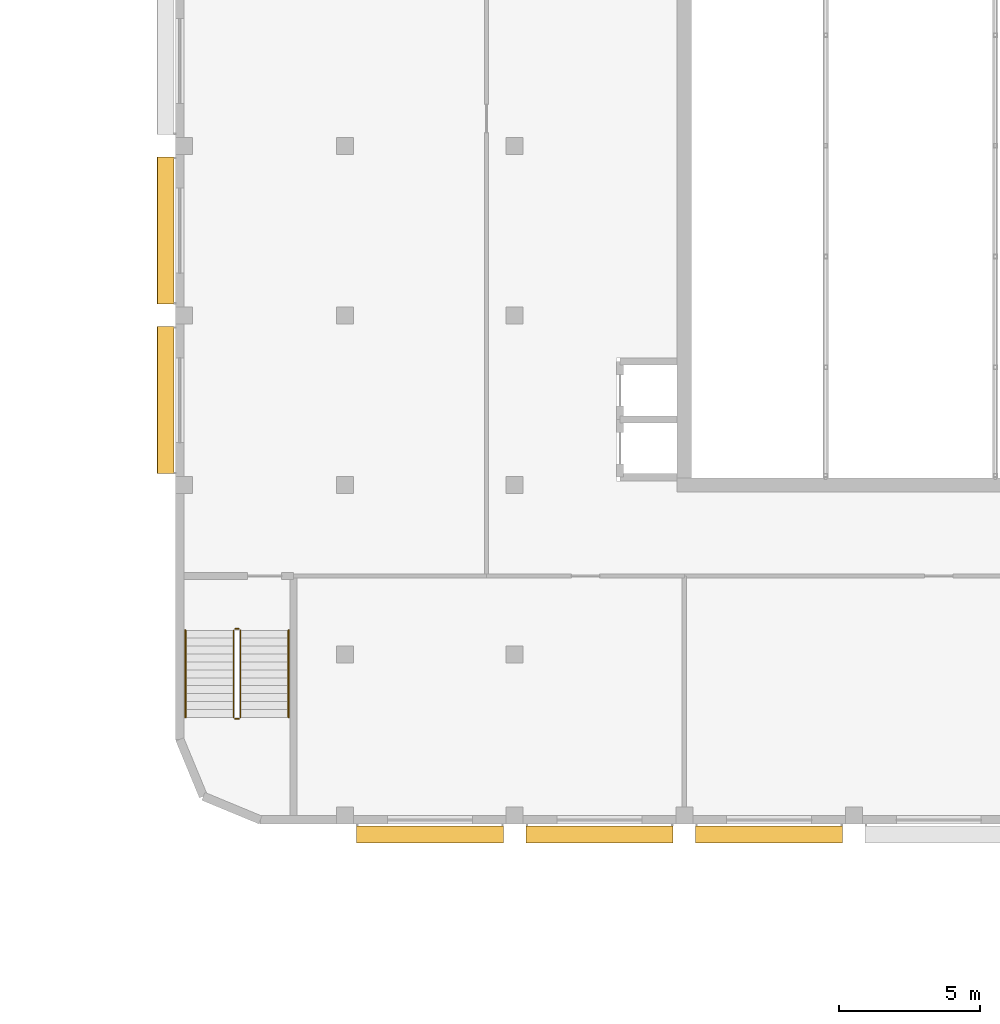
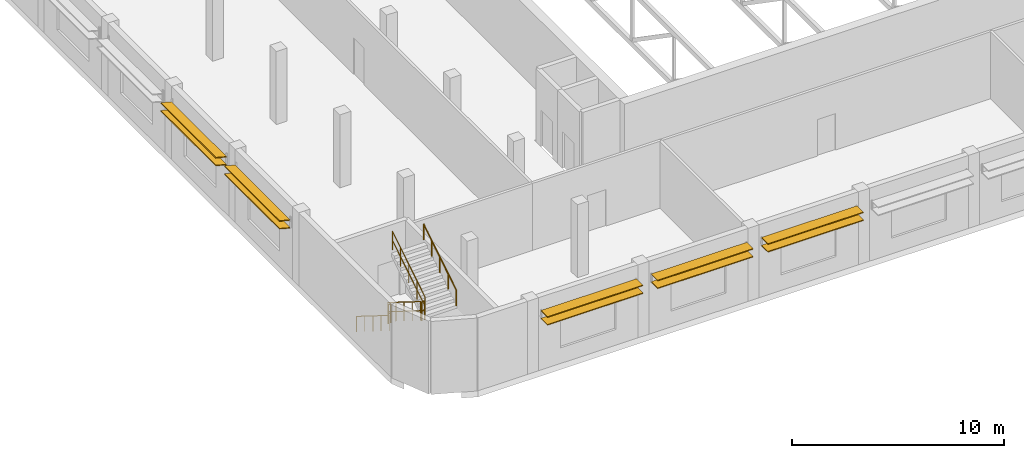
# One storey, part 43 of 47: 10 shading devices, 6 railings.
"""IFC4 building model written with IfcOpenShell, lengths in metres."""

from ifc_helpers import new_model, si_unit, direction, frame, origin, origin_2d, place, context, subcontext, project, spatial, rectangle, circle, extrude, material, material_profile, profile_set, type_object, element, save


model = new_model("IFC4")

# Units and contexts
model_context = context("Model", 3, precision=1e-05, world=origin(), true_north=direction((0.0, 1.0)))
body_context = subcontext(model_context, "Body", "Model", "MODEL_VIEW")
ifc_project = project(units=[si_unit("LENGTHUNIT", "METRE"), si_unit("AREAUNIT", "SQUARE_METRE"), si_unit("VOLUMEUNIT", "CUBIC_METRE"), si_unit("PLANEANGLEUNIT", "RADIAN"), si_unit("MASSUNIT", "GRAM", prefix="KILO")], contexts=[model_context])

# Site, building, storey
site_placement = place(None, origin())
site = spatial("IfcSite", under=ifc_project, at=site_placement, CompositionType="ELEMENT")
building_placement = place(site_placement, origin())
building = spatial("IfcBuilding", under=site, at=building_placement, Name="Nakaniwa Court", CompositionType="ELEMENT")
storey_placement = place(building_placement, frame((0.0, 0.0, 15.60009765625)))
storey = spatial("IfcBuildingStorey", under=building, at=storey_placement, Name="L03", CompositionType="ELEMENT", Elevation=15.60009765625)

# Railings
ifc_material_1 = material(Name="Black powder-coated steel flat bar balustrade S275", Category="steel")
railing_type_1 = type_object("IfcRailingType", Name="Hall guard 1100", PredefinedType="GUARDRAIL", material=ifc_material_1)
railing_1_placement = place(storey_placement, frame((154.050048828125, 62.860107421875, 0.1748046875)))
element("IfcRailing", 1, at=railing_1_placement, inside=storey, type_object=railing_type_1, Name="L03 ST-H1 stair guard 1", PredefinedType="GUARDRAIL", context=body_context, shape_type="SweptSolid", body=[
    extrude(circle(Radius=0.02392578125, at=origin_2d()), frame((0.0, 0.0, 1.076171875), z_axis=(0.0, -0.847998304005, 0.529998940003), x_axis=(1.0, 0.0, 0.0)), (0.0, 0.0, 1.0), 3.632080078125),
    extrude(circle(Radius=0.02392578125, at=origin_2d()), frame((0.0, 0.0, 0.550048828125), z_axis=(0.0, -0.847998304005, 0.529998940003), x_axis=(1.0, 0.0, 0.0)), (0.0, 0.0, 1.0), 3.632080078125),
    extrude(circle(Radius=0.02099609375, at=origin_2d()), origin(), (0.0, 0.0, 1.0), 1.052001953125),
    extrude(circle(Radius=0.02099609375, at=origin_2d()), frame((0.0, -0.77001953125, 0.481201171875)), (0.0, 0.0, 1.0), 1.052001953125),
    extrude(circle(Radius=0.02099609375, at=origin_2d()), frame((0.0, -1.5400390625, 0.96240234375)), (0.0, 0.0, 1.0), 1.052001953125),
    extrude(circle(Radius=0.02099609375, at=origin_2d()), frame((0.0, -2.31005859375, 1.44384765625)), (0.0, 0.0, 1.0), 1.052001953125),
    extrude(circle(Radius=0.02099609375, at=origin_2d()), frame((0.0, -3.080078125, 1.925048828125)), (0.0, 0.0, 1.0), 1.052001953125),
])
railing_2_placement = place(storey_placement, frame((154.10009765625, 59.72998046875, 2.099853515625)))
element("IfcRailing", 2, at=railing_2_placement, inside=storey, type_object=railing_type_1, Name="L03 ST-H1 stair guard 2", PredefinedType="GUARDRAIL", context=body_context, shape_type="SweptSolid", body=[
    extrude(circle(Radius=0.02392578125, at=origin_2d()), frame((0.0, 0.0, 1.076171875), z_axis=(1.0, 0.0, 0.0), x_axis=(0.0, 1.0, 0.0)), (0.0, 0.0, 1.0), 0.14990234375),
    extrude(circle(Radius=0.02392578125, at=origin_2d()), frame((0.0, 0.0, 0.550048828125), z_axis=(1.0, 0.0, 0.0), x_axis=(0.0, 1.0, 0.0)), (0.0, 0.0, 1.0), 0.14990234375),
    extrude(circle(Radius=0.02099609375, at=origin_2d()), origin(), (0.0, 0.0, 1.0), 1.052001953125),
    extrude(circle(Radius=0.02099609375, at=origin_2d()), frame((0.14990234375, 0.0, 0.0)), (0.0, 0.0, 1.0), 1.052001953125),
])
railing_3_placement = place(storey_placement, frame((154.300048828125, 59.780029296875, 2.27490234375)))
element("IfcRailing", 3, at=railing_3_placement, inside=storey, type_object=railing_type_1, Name="L03 ST-H1 stair guard 3", PredefinedType="GUARDRAIL", context=body_context, shape_type="SweptSolid", body=[
    extrude(circle(Radius=0.02392578125, at=origin_2d()), frame((0.0, 0.0, 1.076171875), z_axis=(0.0, 0.847998304005, 0.529998940003), x_axis=(-1.0, 0.0, 0.0)), (0.0, 0.0, 1.0), 3.632080078125),
    extrude(circle(Radius=0.02392578125, at=origin_2d()), frame((0.0, 0.0, 0.550048828125), z_axis=(0.0, 0.847998304005, 0.529998940003), x_axis=(-1.0, 0.0, 0.0)), (0.0, 0.0, 1.0), 3.632080078125),
    extrude(circle(Radius=0.02099609375, at=origin_2d()), origin(), (0.0, 0.0, 1.0), 1.052001953125),
    extrude(circle(Radius=0.02099609375, at=origin_2d()), frame((0.0, 0.77001953125, 0.481201171875)), (0.0, 0.0, 1.0), 1.052001953125),
    extrude(circle(Radius=0.02099609375, at=origin_2d()), frame((0.0, 1.5400390625, 0.96240234375)), (0.0, 0.0, 1.0), 1.052001953125),
    extrude(circle(Radius=0.02099609375, at=origin_2d()), frame((0.0, 2.31005859375, 1.44384765625)), (0.0, 0.0, 1.0), 1.052001953125),
    extrude(circle(Radius=0.02099609375, at=origin_2d()), frame((0.0, 3.080078125, 1.925048828125)), (0.0, 0.0, 1.0), 1.052001953125),
])
railing_4_placement = place(storey_placement, frame((154.10009765625, 62.909912109375, 0.0)))
element("IfcRailing", 4, at=railing_4_placement, inside=storey, type_object=railing_type_1, Name="L03 ST-H1 stair guard 4", PredefinedType="GUARDRAIL", context=body_context, shape_type="SweptSolid", body=[
    extrude(circle(Radius=0.02392578125, at=origin_2d()), frame((0.0, 0.0, 1.076171875), z_axis=(1.0, 0.0, 0.0), x_axis=(0.0, 1.0, 0.0)), (0.0, 0.0, 1.0), 0.14990234375),
    extrude(circle(Radius=0.02392578125, at=origin_2d()), frame((0.0, 0.0, 0.550048828125), z_axis=(1.0, 0.0, 0.0), x_axis=(0.0, 1.0, 0.0)), (0.0, 0.0, 1.0), 0.14990234375),
    extrude(circle(Radius=0.02099609375, at=origin_2d()), origin(), (0.0, 0.0, 1.0), 1.052001953125),
    extrude(circle(Radius=0.02099609375, at=origin_2d()), frame((0.14990234375, 0.0, 0.0)), (0.0, 0.0, 1.0), 1.052001953125),
])

# Shading devices
ifc_material_2 = material(Name="Perforated charcoal ceramic louvre blade")
ifc_material_profile = material_profile(ifc_material_2, rectangle(XDim=0.60009765625, YDim=0.050048828125, at=origin_2d()), Name="Hall perforated ceramic louvre blade")
ifc_profile_set = profile_set([ifc_material_profile], Name="Perforated charcoal ceramic louvre blade")
shading_device_type = type_object("IfcShadingDeviceType", Name="Hall perforated ceramic louvre blade", PredefinedType="JALOUSIE", material=ifc_profile_set)
for number, where, z_axis, x_axis, name in (
    (5, (151.643798828125, 68.39990234375, 3.0), (0.0, 1.0, 0.0), (-0.965925826289, 0.0, 0.258819045103), "Louvre blade L03 003.1"),
    (6, (151.643798828125, 68.39990234375, 3.449951171875), (0.0, 1.0, 0.0), (-0.965925826289, 0.0, 0.258819045103), "Louvre blade L03 003.2"),
    (7, (151.643798828125, 74.39990234375, 3.0), (0.0, 1.0, 0.0), (-0.965925826289, 0.0, 0.258819045103), "Louvre blade L03 004.1"),
    (8, (151.643798828125, 74.39990234375, 3.449951171875), (0.0, 1.0, 0.0), (-0.965925826289, 0.0, 0.258819045103), "Louvre blade L03 004.2"),
    (9, (175.60009765625, 55.639892578125, 3.0), (-1.0, 0.0, 0.0), (0.0, -1.0, 0.0), "Louvre blade L03 038.1"),
    (10, (175.60009765625, 55.639892578125, 3.449951171875), (-1.0, 0.0, 0.0), (0.0, -1.0, 0.0), "Louvre blade L03 038.2"),
    (11, (169.60009765625, 55.639892578125, 3.0), (-1.0, 0.0, 0.0), (0.0, -1.0, 0.0), "Louvre blade L03 039.1"),
    (12, (169.60009765625, 55.639892578125, 3.449951171875), (-1.0, 0.0, 0.0), (0.0, -1.0, 0.0), "Louvre blade L03 039.2"),
    (13, (163.60009765625, 55.639892578125, 3.0), (-1.0, 0.0, 0.0), (0.0, -1.0, 0.0), "Louvre blade L03 040.1"),
    (14, (163.60009765625, 55.639892578125, 3.449951171875), (-1.0, 0.0, 0.0), (0.0, -1.0, 0.0), "Louvre blade L03 040.2"),
):
    element("IfcShadingDevice", number, at=place(storey_placement, frame(where, z_axis=z_axis, x_axis=x_axis)), inside=storey, type_object=shading_device_type, Name=name, PredefinedType="JALOUSIE", context=body_context, shape_type="SweptSolid", body=[
        extrude(rectangle(XDim=0.60009765625, YDim=0.050048828125, at=origin_2d()), origin(), (0.0, 0.0, 1.0), 5.2001953125),
    ])

# Railings
ifc_material_3 = material(Name="Brushed stainless steel handrail Grade 304", Category="steel")
railing_type_2 = type_object("IfcRailingType", Name="Hall stair handrail 900", PredefinedType="HANDRAIL", material=ifc_material_3)
railing_5_placement = place(storey_placement, frame((152.35009765625, 62.860107421875, 0.1748046875)))
element("IfcRailing", 15, at=railing_5_placement, inside=storey, type_object=railing_type_2, Name="L03 ST-H1 stair handrail 1", PredefinedType="HANDRAIL", context=body_context, shape_type="SweptSolid", body=[
    extrude(circle(Radius=0.02392578125, at=origin_2d()), frame((0.0, 0.0, 0.8759765625), z_axis=(0.0, -0.847998304005, 0.529998940003), x_axis=(1.0, 0.0, 0.0)), (0.0, 0.0, 1.0), 3.632080078125),
    extrude(circle(Radius=0.02099609375, at=origin_2d()), origin(), (0.0, 0.0, 1.0), 0.851806640625),
    extrude(circle(Radius=0.02099609375, at=origin_2d()), frame((0.0, -0.77001953125, 0.481201171875)), (0.0, 0.0, 1.0), 0.851806640625),
    extrude(circle(Radius=0.02099609375, at=origin_2d()), frame((0.0, -1.5400390625, 0.96240234375)), (0.0, 0.0, 1.0), 0.851806640625),
    extrude(circle(Radius=0.02099609375, at=origin_2d()), frame((0.0, -2.31005859375, 1.44384765625)), (0.0, 0.0, 1.0), 0.851806640625),
    extrude(circle(Radius=0.02099609375, at=origin_2d()), frame((0.0, -3.080078125, 1.925048828125)), (0.0, 0.0, 1.0), 0.851806640625),
])
railing_6_placement = place(storey_placement, frame((156.0, 59.780029296875, 2.27490234375)))
element("IfcRailing", 16, at=railing_6_placement, inside=storey, type_object=railing_type_2, Name="L03 ST-H1 stair handrail 2", PredefinedType="HANDRAIL", context=body_context, shape_type="SweptSolid", body=[
    extrude(circle(Radius=0.02392578125, at=origin_2d()), frame((0.0, 0.0, 0.8759765625), z_axis=(0.0, 0.847998304005, 0.529998940003), x_axis=(-1.0, 0.0, 0.0)), (0.0, 0.0, 1.0), 3.632080078125),
    extrude(circle(Radius=0.02099609375, at=origin_2d()), origin(), (0.0, 0.0, 1.0), 0.851806640625),
    extrude(circle(Radius=0.02099609375, at=origin_2d()), frame((0.0, 0.77001953125, 0.481201171875)), (0.0, 0.0, 1.0), 0.851806640625),
    extrude(circle(Radius=0.02099609375, at=origin_2d()), frame((0.0, 1.5400390625, 0.96240234375)), (0.0, 0.0, 1.0), 0.851806640625),
    extrude(circle(Radius=0.02099609375, at=origin_2d()), frame((0.0, 2.31005859375, 1.44384765625)), (0.0, 0.0, 1.0), 0.851806640625),
    extrude(circle(Radius=0.02099609375, at=origin_2d()), frame((0.0, 3.080078125, 1.925048828125)), (0.0, 0.0, 1.0), 0.851806640625),
])

save(model, "model.ifc")
